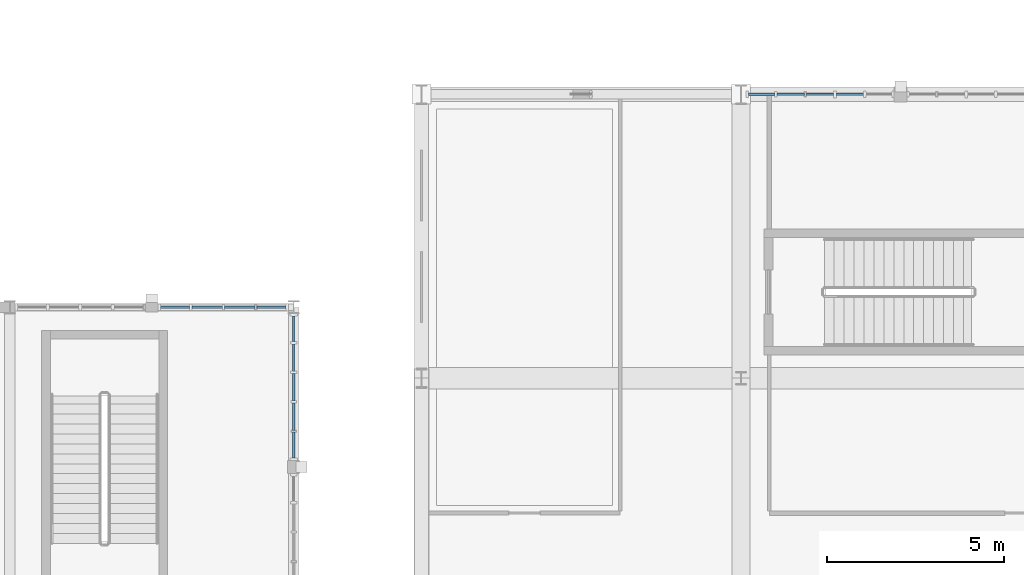
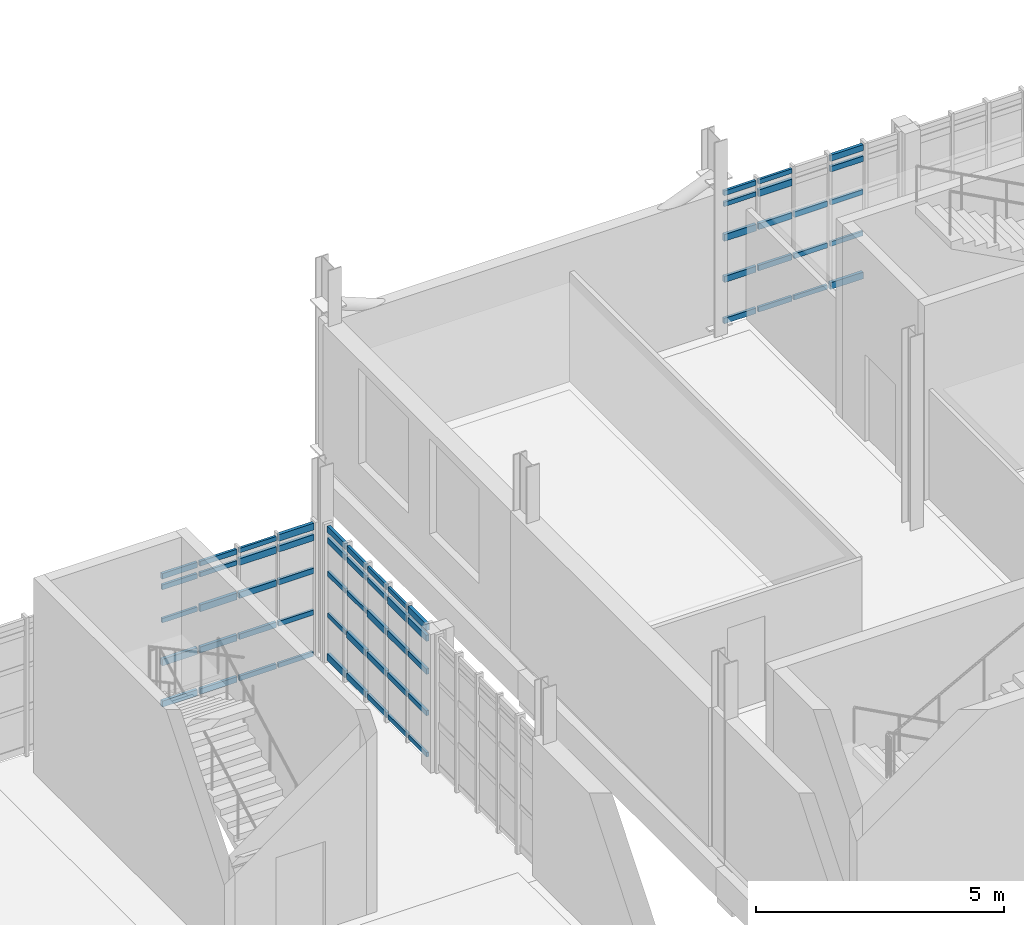
# One storey, part 64 of 128: 63 members, 3 elements without a shape of their own.
"""IFC4 building model written with IfcOpenShell, lengths in metres."""

from ifc_helpers import new_model, si_unit, direction, frame, origin, origin_2d, place, context, subcontext, project, spatial, rectangle, extrude, material, material_profile, profile_set, type_object, element, aggregate, save


model = new_model("IFC4")

# Units and contexts
model_context = context("Model", 3, precision=1e-05, world=origin(), true_north=direction((0.0, 1.0)))
body_context = subcontext(model_context, "Body", "Model", "MODEL_VIEW")
ifc_project = project(units=[si_unit("LENGTHUNIT", "METRE"), si_unit("AREAUNIT", "SQUARE_METRE"), si_unit("VOLUMEUNIT", "CUBIC_METRE"), si_unit("PLANEANGLEUNIT", "RADIAN"), si_unit("MASSUNIT", "GRAM", prefix="KILO")], contexts=[model_context])

# Site, building, storey
site_placement = place(None, origin())
site = spatial("IfcSite", under=ifc_project, at=site_placement, CompositionType="ELEMENT")
building_placement = place(site_placement, origin())
building = spatial("IfcBuilding", under=site, at=building_placement, Name="Serraforn Aerial Cableway Station", CompositionType="ELEMENT")
storey_placement = place(building_placement, frame((0.0, 0.0, 9.0)))
storey = spatial("IfcBuildingStorey", under=building, at=storey_placement, Name="L02", CompositionType="ELEMENT", Elevation=9.0)

# Curtain wall, members
ifc_material_1 = material(Name="Anodised bronze unitised curtain wall")
curtain_wall_type_1 = type_object("IfcCurtainWallType", Name="CW-SYS-1", PredefinedType="USERDEFINED", material=ifc_material_1)
curtain_wall_1_placement = place(storey_placement, origin())
curtain_wall_1 = element("IfcCurtainWall", 1, at=curtain_wall_1_placement, inside=storey, type_object=curtain_wall_type_1, Name="Unitised Curtain Wall CW-W-L02-N3A", ObjectType="UNITISED CURTAIN WALL", PredefinedType="USERDEFINED")
ifc_material_2 = material(Name="Anodised bronze extruded aluminium", Category="aluminium")
ifc_material_profile_1 = material_profile(ifc_material_2, rectangle(XDim=0.054931640625, YDim=0.110107421875, at=origin_2d()), Name="CW TRANSOM 55x110")
ifc_profile_set_1 = profile_set([ifc_material_profile_1], Name="Anodised bronze extruded aluminium")
member_type_1 = type_object("IfcMemberType", Name="CW-TRN-1", PredefinedType="USERDEFINED", material=ifc_profile_set_1)
member_1_placement = place(storey_placement, frame((23.779052734375, 36.0, 0.13671875), z_axis=(-1.0, 0.0, 0.0), x_axis=(0.0, -1.0, 0.0)))
member_1 = element("IfcMember", 2, at=member_1_placement, type_object=member_type_1, Name="Curtain Wall Transom CW-W-L02-N3A-T1-1", ObjectType="TRANSOM", PredefinedType="USERDEFINED", context=body_context, shape_type="SweptSolid", body=[
    extrude(rectangle(XDim=0.054931640625, YDim=0.110107421875, at=origin_2d()), origin(), (0.0, 0.0, 1.0), 0.819580078125),
])
member_2_placement = place(storey_placement, frame((22.908447265625, 36.0, 3.283203125), z_axis=(-1.0, 0.0, 0.0), x_axis=(0.0, -1.0, 0.0)))
member_2 = element("IfcMember", 3, at=member_2_placement, type_object=member_type_1, Name="Curtain Wall Transom CW-W-L02-N3A-T2-5", ObjectType="TRANSOM", PredefinedType="USERDEFINED", context=body_context, shape_type="SweptSolid", body=[
    extrude(rectangle(XDim=0.054931640625, YDim=0.110107421875, at=origin_2d()), origin(), (0.0, 0.0, 1.0), 0.864501953125),
])
member_3_placement = place(storey_placement, frame((21.988037109375, 36.0, 3.009521484375), z_axis=(-1.0, 0.0, 0.0), x_axis=(0.0, -1.0, 0.0)))
member_3 = element("IfcMember", 4, at=member_3_placement, type_object=member_type_1, Name="Curtain Wall Transom CW-W-L02-N3A-T3-4", ObjectType="TRANSOM", PredefinedType="USERDEFINED", context=body_context, shape_type="SweptSolid", body=[
    extrude(rectangle(XDim=0.054931640625, YDim=0.110107421875, at=origin_2d()), origin(), (0.0, 0.0, 1.0), 0.859619140625),
])
member_4_placement = place(storey_placement, frame((21.0673828125, 36.0, 2.188720703125), z_axis=(-1.0, 0.0, 0.0), x_axis=(0.0, -1.0, 0.0)))
member_4 = element("IfcMember", 5, at=member_4_placement, type_object=member_type_1, Name="Curtain Wall Transom CW-W-L02-N3A-T4-3", ObjectType="TRANSOM", PredefinedType="USERDEFINED", context=body_context, shape_type="SweptSolid", body=[
    extrude(rectangle(XDim=0.054931640625, YDim=0.110107421875, at=origin_2d()), origin(), (0.0, 0.0, 1.0), 0.8193359375),
])

curtain_wall_type_2 = type_object("IfcCurtainWallType", Name="CW-SYS-6", PredefinedType="USERDEFINED", material=ifc_material_1)
curtain_wall_2_placement = place(storey_placement, origin())
curtain_wall_2 = element("IfcCurtainWall", 6, at=curtain_wall_2_placement, inside=storey, type_object=curtain_wall_type_2, Name="Unitised Curtain Wall CW-W-L02-E3B", ObjectType="UNITISED CURTAIN WALL", PredefinedType="USERDEFINED")
member_5_placement = place(storey_placement, frame((24.0, 31.7529296875, 0.13671875), z_axis=(0.0, 1.0, 0.0), x_axis=(-1.0, 0.0, 0.0)))
member_5 = element("IfcMember", 7, at=member_5_placement, type_object=member_type_1, Name="Curtain Wall Transom CW-W-L02-E3B-T1-1", ObjectType="TRANSOM", PredefinedType="USERDEFINED", context=body_context, shape_type="SweptSolid", body=[
    extrude(rectangle(XDim=0.054931640625, YDim=0.110107421875, at=origin_2d()), origin(), (0.0, 0.0, 1.0), 0.72998046875),
])
member_6_placement = place(storey_placement, frame((24.0, 32.533935546875, 3.283203125), z_axis=(0.0, 1.0, 0.0), x_axis=(-1.0, 0.0, 0.0)))
member_6 = element("IfcMember", 8, at=member_6_placement, type_object=member_type_1, Name="Curtain Wall Transom CW-W-L02-E3B-T2-5", ObjectType="TRANSOM", PredefinedType="USERDEFINED", context=body_context, shape_type="SweptSolid", body=[
    extrude(rectangle(XDim=0.054931640625, YDim=0.110107421875, at=origin_2d()), origin(), (0.0, 0.0, 1.0), 0.77490234375),
])
member_7_placement = place(storey_placement, frame((24.0, 33.36474609375, 3.009521484375), z_axis=(0.0, 1.0, 0.0), x_axis=(-1.0, 0.0, 0.0)))
member_7 = element("IfcMember", 9, at=member_7_placement, type_object=member_type_1, Name="Curtain Wall Transom CW-W-L02-E3B-T3-4", ObjectType="TRANSOM", PredefinedType="USERDEFINED", context=body_context, shape_type="SweptSolid", body=[
    extrude(rectangle(XDim=0.054931640625, YDim=0.110107421875, at=origin_2d()), origin(), (0.0, 0.0, 1.0), 0.77001953125),
])
member_8_placement = place(storey_placement, frame((24.0, 34.19580078125, 2.188720703125), z_axis=(0.0, 1.0, 0.0), x_axis=(-1.0, 0.0, 0.0)))
member_8 = element("IfcMember", 10, at=member_8_placement, type_object=member_type_1, Name="Curtain Wall Transom CW-W-L02-E3B-T4-3", ObjectType="TRANSOM", PredefinedType="USERDEFINED", context=body_context, shape_type="SweptSolid", body=[
    extrude(rectangle(XDim=0.054931640625, YDim=0.110107421875, at=origin_2d()), origin(), (0.0, 0.0, 1.0), 0.764892578125),
])
member_9_placement = place(storey_placement, frame((24.0, 35.026611328125, 1.162841796875), z_axis=(0.0, 1.0, 0.0), x_axis=(-1.0, 0.0, 0.0)))
member_9 = element("IfcMember", 11, at=member_9_placement, type_object=member_type_1, Name="Curtain Wall Transom CW-W-L02-E3B-T5-2", ObjectType="TRANSOM", PredefinedType="USERDEFINED", context=body_context, shape_type="SweptSolid", body=[
    extrude(rectangle(XDim=0.054931640625, YDim=0.110107421875, at=origin_2d()), origin(), (0.0, 0.0, 1.0), 0.722412109375),
])

curtain_wall_type_3 = type_object("IfcCurtainWallType", Name="CW-SYS-18", PredefinedType="USERDEFINED", material=ifc_material_1)
curtain_wall_3_placement = place(storey_placement, origin())
curtain_wall_3 = element("IfcCurtainWall", 12, at=curtain_wall_3_placement, inside=storey, type_object=curtain_wall_type_3, Name="Unitised Curtain Wall CW-CV-L02-N2B", ObjectType="UNITISED CURTAIN WALL", PredefinedType="USERDEFINED")
member_10_placement = place(storey_placement, frame((40.052490234375, 42.0, 1.162841796875), z_axis=(-1.0, 0.0, 0.0), x_axis=(0.0, -1.0, 0.0)))
member_10 = element("IfcMember", 13, at=member_10_placement, type_object=member_type_1, Name="Curtain Wall Transom CW-CV-L02-N2B-T2-2", ObjectType="TRANSOM", PredefinedType="USERDEFINED", context=body_context, shape_type="SweptSolid", body=[
    extrude(rectangle(XDim=0.054931640625, YDim=0.110107421875, at=origin_2d()), origin(), (0.0, 0.0, 1.0), 0.765869140625),
])
member_11_placement = place(storey_placement, frame((39.2158203125, 42.0, 0.13671875), z_axis=(-1.0, 0.0, 0.0), x_axis=(0.0, -1.0, 0.0)))
member_11 = element("IfcMember", 14, at=member_11_placement, type_object=member_type_1, Name="Curtain Wall Transom CW-CV-L02-N2B-T3-1", ObjectType="TRANSOM", PredefinedType="USERDEFINED", context=body_context, shape_type="SweptSolid", body=[
    extrude(rectangle(XDim=0.054931640625, YDim=0.110107421875, at=origin_2d()), origin(), (0.0, 0.0, 1.0), 0.7734375),
])
member_12_placement = place(storey_placement, frame((38.391357421875, 42.0, 3.283203125), z_axis=(-1.0, 0.0, 0.0), x_axis=(0.0, -1.0, 0.0)))
member_12 = element("IfcMember", 15, at=member_12_placement, type_object=member_type_1, Name="Curtain Wall Transom CW-CV-L02-N2B-T4-5", ObjectType="TRANSOM", PredefinedType="USERDEFINED", context=body_context, shape_type="SweptSolid", body=[
    extrude(rectangle(XDim=0.054931640625, YDim=0.110107421875, at=origin_2d()), origin(), (0.0, 0.0, 1.0), 0.781005859375),
])
member_13_placement = place(storey_placement, frame((37.554443359375, 42.0, 3.009521484375), z_axis=(-1.0, 0.0, 0.0), x_axis=(0.0, -1.0, 0.0)))
member_13 = element("IfcMember", 16, at=member_13_placement, type_object=member_type_1, Name="Curtain Wall Transom CW-CV-L02-N2B-T5-4", ObjectType="TRANSOM", PredefinedType="USERDEFINED", context=body_context, shape_type="SweptSolid", body=[
    extrude(rectangle(XDim=0.054931640625, YDim=0.110107421875, at=origin_2d()), origin(), (0.0, 0.0, 1.0), 0.743408203125),
])

# Member
ifc_material_profile_2 = material_profile(ifc_material_2, rectangle(XDim=0.06005859375, YDim=0.1201171875, at=origin_2d()), Name="CW TRANSOM 60x120")
ifc_profile_set_2 = profile_set([ifc_material_profile_2], Name="Anodised bronze extruded aluminium")
member_type_2 = type_object("IfcMemberType", Name="CW-TRN-2", PredefinedType="USERDEFINED", material=ifc_profile_set_2)
member_14_placement = place(storey_placement, frame((23.779052734375, 36.0, 1.162841796875), z_axis=(-1.0, 0.0, 0.0), x_axis=(0.0, -1.0, 0.0)))
member_14 = element("IfcMember", 17, at=member_14_placement, type_object=member_type_2, Name="Curtain Wall Transom CW-W-L02-N3A-T1-2", ObjectType="TRANSOM", PredefinedType="USERDEFINED", context=body_context, shape_type="SweptSolid", body=[
    extrude(rectangle(XDim=0.06005859375, YDim=0.1201171875, at=origin_2d()), origin(), (0.0, 0.0, 1.0), 0.819580078125),
])

member_15_placement = place(storey_placement, frame((22.908447265625, 36.0, 0.13671875), z_axis=(-1.0, 0.0, 0.0), x_axis=(0.0, -1.0, 0.0)))
member_15 = element("IfcMember", 18, at=member_15_placement, type_object=member_type_2, Name="Curtain Wall Transom CW-W-L02-N3A-T2-1", ObjectType="TRANSOM", PredefinedType="USERDEFINED", context=body_context, shape_type="SweptSolid", body=[
    extrude(rectangle(XDim=0.06005859375, YDim=0.1201171875, at=origin_2d()), origin(), (0.0, 0.0, 1.0), 0.864501953125),
])

member_16_placement = place(storey_placement, frame((21.988037109375, 36.0, 3.283203125), z_axis=(-1.0, 0.0, 0.0), x_axis=(0.0, -1.0, 0.0)))
member_16 = element("IfcMember", 19, at=member_16_placement, type_object=member_type_2, Name="Curtain Wall Transom CW-W-L02-N3A-T3-5", ObjectType="TRANSOM", PredefinedType="USERDEFINED", context=body_context, shape_type="SweptSolid", body=[
    extrude(rectangle(XDim=0.06005859375, YDim=0.1201171875, at=origin_2d()), origin(), (0.0, 0.0, 1.0), 0.859619140625),
])

member_17_placement = place(storey_placement, frame((21.0673828125, 36.0, 3.009521484375), z_axis=(-1.0, 0.0, 0.0), x_axis=(0.0, -1.0, 0.0)))
member_17 = element("IfcMember", 20, at=member_17_placement, type_object=member_type_2, Name="Curtain Wall Transom CW-W-L02-N3A-T4-4", ObjectType="TRANSOM", PredefinedType="USERDEFINED", context=body_context, shape_type="SweptSolid", body=[
    extrude(rectangle(XDim=0.06005859375, YDim=0.1201171875, at=origin_2d()), origin(), (0.0, 0.0, 1.0), 0.8193359375),
])

member_18_placement = place(storey_placement, frame((24.0, 31.7529296875, 1.162841796875), z_axis=(0.0, 1.0, 0.0), x_axis=(-1.0, 0.0, 0.0)))
member_18 = element("IfcMember", 21, at=member_18_placement, type_object=member_type_2, Name="Curtain Wall Transom CW-W-L02-E3B-T1-2", ObjectType="TRANSOM", PredefinedType="USERDEFINED", context=body_context, shape_type="SweptSolid", body=[
    extrude(rectangle(XDim=0.06005859375, YDim=0.1201171875, at=origin_2d()), origin(), (0.0, 0.0, 1.0), 0.72998046875),
])

member_19_placement = place(storey_placement, frame((24.0, 32.533935546875, 0.13671875), z_axis=(0.0, 1.0, 0.0), x_axis=(-1.0, 0.0, 0.0)))
member_19 = element("IfcMember", 22, at=member_19_placement, type_object=member_type_2, Name="Curtain Wall Transom CW-W-L02-E3B-T2-1", ObjectType="TRANSOM", PredefinedType="USERDEFINED", context=body_context, shape_type="SweptSolid", body=[
    extrude(rectangle(XDim=0.06005859375, YDim=0.1201171875, at=origin_2d()), origin(), (0.0, 0.0, 1.0), 0.77490234375),
])

member_20_placement = place(storey_placement, frame((24.0, 33.36474609375, 3.283203125), z_axis=(0.0, 1.0, 0.0), x_axis=(-1.0, 0.0, 0.0)))
member_20 = element("IfcMember", 23, at=member_20_placement, type_object=member_type_2, Name="Curtain Wall Transom CW-W-L02-E3B-T3-5", ObjectType="TRANSOM", PredefinedType="USERDEFINED", context=body_context, shape_type="SweptSolid", body=[
    extrude(rectangle(XDim=0.06005859375, YDim=0.1201171875, at=origin_2d()), origin(), (0.0, 0.0, 1.0), 0.77001953125),
])

member_21_placement = place(storey_placement, frame((24.0, 34.19580078125, 3.009521484375), z_axis=(0.0, 1.0, 0.0), x_axis=(-1.0, 0.0, 0.0)))
member_21 = element("IfcMember", 24, at=member_21_placement, type_object=member_type_2, Name="Curtain Wall Transom CW-W-L02-E3B-T4-4", ObjectType="TRANSOM", PredefinedType="USERDEFINED", context=body_context, shape_type="SweptSolid", body=[
    extrude(rectangle(XDim=0.06005859375, YDim=0.1201171875, at=origin_2d()), origin(), (0.0, 0.0, 1.0), 0.764892578125),
])

member_22_placement = place(storey_placement, frame((24.0, 35.026611328125, 2.188720703125), z_axis=(0.0, 1.0, 0.0), x_axis=(-1.0, 0.0, 0.0)))
member_22 = element("IfcMember", 25, at=member_22_placement, type_object=member_type_2, Name="Curtain Wall Transom CW-W-L02-E3B-T5-3", ObjectType="TRANSOM", PredefinedType="USERDEFINED", context=body_context, shape_type="SweptSolid", body=[
    extrude(rectangle(XDim=0.06005859375, YDim=0.1201171875, at=origin_2d()), origin(), (0.0, 0.0, 1.0), 0.722412109375),
])

member_23_placement = place(storey_placement, frame((40.052490234375, 42.0, 2.188720703125), z_axis=(-1.0, 0.0, 0.0), x_axis=(0.0, -1.0, 0.0)))
member_23 = element("IfcMember", 26, at=member_23_placement, type_object=member_type_2, Name="Curtain Wall Transom CW-CV-L02-N2B-T2-3", ObjectType="TRANSOM", PredefinedType="USERDEFINED", context=body_context, shape_type="SweptSolid", body=[
    extrude(rectangle(XDim=0.06005859375, YDim=0.1201171875, at=origin_2d()), origin(), (0.0, 0.0, 1.0), 0.765869140625),
])

member_24_placement = place(storey_placement, frame((39.2158203125, 42.0, 1.162841796875), z_axis=(-1.0, 0.0, 0.0), x_axis=(0.0, -1.0, 0.0)))
member_24 = element("IfcMember", 27, at=member_24_placement, type_object=member_type_2, Name="Curtain Wall Transom CW-CV-L02-N2B-T3-2", ObjectType="TRANSOM", PredefinedType="USERDEFINED", context=body_context, shape_type="SweptSolid", body=[
    extrude(rectangle(XDim=0.06005859375, YDim=0.1201171875, at=origin_2d()), origin(), (0.0, 0.0, 1.0), 0.7734375),
])

member_25_placement = place(storey_placement, frame((38.391357421875, 42.0, 0.13671875), z_axis=(-1.0, 0.0, 0.0), x_axis=(0.0, -1.0, 0.0)))
member_25 = element("IfcMember", 28, at=member_25_placement, type_object=member_type_2, Name="Curtain Wall Transom CW-CV-L02-N2B-T4-1", ObjectType="TRANSOM", PredefinedType="USERDEFINED", context=body_context, shape_type="SweptSolid", body=[
    extrude(rectangle(XDim=0.06005859375, YDim=0.1201171875, at=origin_2d()), origin(), (0.0, 0.0, 1.0), 0.781005859375),
])

member_26_placement = place(storey_placement, frame((37.554443359375, 42.0, 3.283203125), z_axis=(-1.0, 0.0, 0.0), x_axis=(0.0, -1.0, 0.0)))
member_26 = element("IfcMember", 29, at=member_26_placement, type_object=member_type_2, Name="Curtain Wall Transom CW-CV-L02-N2B-T5-5", ObjectType="TRANSOM", PredefinedType="USERDEFINED", context=body_context, shape_type="SweptSolid", body=[
    extrude(rectangle(XDim=0.06005859375, YDim=0.1201171875, at=origin_2d()), origin(), (0.0, 0.0, 1.0), 0.743408203125),
])

ifc_material_profile_3 = material_profile(ifc_material_2, rectangle(XDim=0.06494140625, YDim=0.135009765625, at=origin_2d()), Name="CW TRANSOM 65x135")
ifc_profile_set_3 = profile_set([ifc_material_profile_3], Name="Anodised bronze extruded aluminium")
member_type_3 = type_object("IfcMemberType", Name="CW-TRN-3", PredefinedType="USERDEFINED", material=ifc_profile_set_3)
member_27_placement = place(storey_placement, frame((23.779052734375, 36.0, 2.188720703125), z_axis=(-1.0, 0.0, 0.0), x_axis=(0.0, -1.0, 0.0)))
member_27 = element("IfcMember", 30, at=member_27_placement, type_object=member_type_3, Name="Curtain Wall Transom CW-W-L02-N3A-T1-3", ObjectType="TRANSOM", PredefinedType="USERDEFINED", context=body_context, shape_type="SweptSolid", body=[
    extrude(rectangle(XDim=0.06494140625, YDim=0.135009765625, at=origin_2d()), origin(), (0.0, 0.0, 1.0), 0.819580078125),
])

member_28_placement = place(storey_placement, frame((22.908447265625, 36.0, 1.162841796875), z_axis=(-1.0, 0.0, 0.0), x_axis=(0.0, -1.0, 0.0)))
member_28 = element("IfcMember", 31, at=member_28_placement, type_object=member_type_3, Name="Curtain Wall Transom CW-W-L02-N3A-T2-2", ObjectType="TRANSOM", PredefinedType="USERDEFINED", context=body_context, shape_type="SweptSolid", body=[
    extrude(rectangle(XDim=0.06494140625, YDim=0.135009765625, at=origin_2d()), origin(), (0.0, 0.0, 1.0), 0.864501953125),
])

member_29_placement = place(storey_placement, frame((21.988037109375, 36.0, 0.13671875), z_axis=(-1.0, 0.0, 0.0), x_axis=(0.0, -1.0, 0.0)))
member_29 = element("IfcMember", 32, at=member_29_placement, type_object=member_type_3, Name="Curtain Wall Transom CW-W-L02-N3A-T3-1", ObjectType="TRANSOM", PredefinedType="USERDEFINED", context=body_context, shape_type="SweptSolid", body=[
    extrude(rectangle(XDim=0.06494140625, YDim=0.135009765625, at=origin_2d()), origin(), (0.0, 0.0, 1.0), 0.859619140625),
])

member_30_placement = place(storey_placement, frame((21.0673828125, 36.0, 3.283203125), z_axis=(-1.0, 0.0, 0.0), x_axis=(0.0, -1.0, 0.0)))
member_30 = element("IfcMember", 33, at=member_30_placement, type_object=member_type_3, Name="Curtain Wall Transom CW-W-L02-N3A-T4-5", ObjectType="TRANSOM", PredefinedType="USERDEFINED", context=body_context, shape_type="SweptSolid", body=[
    extrude(rectangle(XDim=0.06494140625, YDim=0.135009765625, at=origin_2d()), origin(), (0.0, 0.0, 1.0), 0.8193359375),
])

member_31_placement = place(storey_placement, frame((24.0, 31.7529296875, 2.188720703125), z_axis=(0.0, 1.0, 0.0), x_axis=(-1.0, 0.0, 0.0)))
member_31 = element("IfcMember", 34, at=member_31_placement, type_object=member_type_3, Name="Curtain Wall Transom CW-W-L02-E3B-T1-3", ObjectType="TRANSOM", PredefinedType="USERDEFINED", context=body_context, shape_type="SweptSolid", body=[
    extrude(rectangle(XDim=0.06494140625, YDim=0.135009765625, at=origin_2d()), origin(), (0.0, 0.0, 1.0), 0.72998046875),
])

member_32_placement = place(storey_placement, frame((24.0, 32.533935546875, 1.162841796875), z_axis=(0.0, 1.0, 0.0), x_axis=(-1.0, 0.0, 0.0)))
member_32 = element("IfcMember", 35, at=member_32_placement, type_object=member_type_3, Name="Curtain Wall Transom CW-W-L02-E3B-T2-2", ObjectType="TRANSOM", PredefinedType="USERDEFINED", context=body_context, shape_type="SweptSolid", body=[
    extrude(rectangle(XDim=0.06494140625, YDim=0.135009765625, at=origin_2d()), origin(), (0.0, 0.0, 1.0), 0.77490234375),
])

member_33_placement = place(storey_placement, frame((24.0, 33.36474609375, 0.13671875), z_axis=(0.0, 1.0, 0.0), x_axis=(-1.0, 0.0, 0.0)))
member_33 = element("IfcMember", 36, at=member_33_placement, type_object=member_type_3, Name="Curtain Wall Transom CW-W-L02-E3B-T3-1", ObjectType="TRANSOM", PredefinedType="USERDEFINED", context=body_context, shape_type="SweptSolid", body=[
    extrude(rectangle(XDim=0.06494140625, YDim=0.135009765625, at=origin_2d()), origin(), (0.0, 0.0, 1.0), 0.77001953125),
])

member_34_placement = place(storey_placement, frame((24.0, 34.19580078125, 3.283203125), z_axis=(0.0, 1.0, 0.0), x_axis=(-1.0, 0.0, 0.0)))
member_34 = element("IfcMember", 37, at=member_34_placement, type_object=member_type_3, Name="Curtain Wall Transom CW-W-L02-E3B-T4-5", ObjectType="TRANSOM", PredefinedType="USERDEFINED", context=body_context, shape_type="SweptSolid", body=[
    extrude(rectangle(XDim=0.06494140625, YDim=0.135009765625, at=origin_2d()), origin(), (0.0, 0.0, 1.0), 0.764892578125),
])

member_35_placement = place(storey_placement, frame((24.0, 35.026611328125, 3.009521484375), z_axis=(0.0, 1.0, 0.0), x_axis=(-1.0, 0.0, 0.0)))
member_35 = element("IfcMember", 38, at=member_35_placement, type_object=member_type_3, Name="Curtain Wall Transom CW-W-L02-E3B-T5-4", ObjectType="TRANSOM", PredefinedType="USERDEFINED", context=body_context, shape_type="SweptSolid", body=[
    extrude(rectangle(XDim=0.06494140625, YDim=0.135009765625, at=origin_2d()), origin(), (0.0, 0.0, 1.0), 0.722412109375),
])

member_36_placement = place(storey_placement, frame((40.052490234375, 42.0, 3.009521484375), z_axis=(-1.0, 0.0, 0.0), x_axis=(0.0, -1.0, 0.0)))
member_36 = element("IfcMember", 39, at=member_36_placement, type_object=member_type_3, Name="Curtain Wall Transom CW-CV-L02-N2B-T2-4", ObjectType="TRANSOM", PredefinedType="USERDEFINED", context=body_context, shape_type="SweptSolid", body=[
    extrude(rectangle(XDim=0.06494140625, YDim=0.135009765625, at=origin_2d()), origin(), (0.0, 0.0, 1.0), 0.765869140625),
])

member_37_placement = place(storey_placement, frame((39.2158203125, 42.0, 2.188720703125), z_axis=(-1.0, 0.0, 0.0), x_axis=(0.0, -1.0, 0.0)))
member_37 = element("IfcMember", 40, at=member_37_placement, type_object=member_type_3, Name="Curtain Wall Transom CW-CV-L02-N2B-T3-3", ObjectType="TRANSOM", PredefinedType="USERDEFINED", context=body_context, shape_type="SweptSolid", body=[
    extrude(rectangle(XDim=0.06494140625, YDim=0.135009765625, at=origin_2d()), origin(), (0.0, 0.0, 1.0), 0.7734375),
])

member_38_placement = place(storey_placement, frame((38.391357421875, 42.0, 1.162841796875), z_axis=(-1.0, 0.0, 0.0), x_axis=(0.0, -1.0, 0.0)))
member_38 = element("IfcMember", 41, at=member_38_placement, type_object=member_type_3, Name="Curtain Wall Transom CW-CV-L02-N2B-T4-2", ObjectType="TRANSOM", PredefinedType="USERDEFINED", context=body_context, shape_type="SweptSolid", body=[
    extrude(rectangle(XDim=0.06494140625, YDim=0.135009765625, at=origin_2d()), origin(), (0.0, 0.0, 1.0), 0.781005859375),
])

member_39_placement = place(storey_placement, frame((37.554443359375, 42.0, 0.13671875), z_axis=(-1.0, 0.0, 0.0), x_axis=(0.0, -1.0, 0.0)))
member_39 = element("IfcMember", 42, at=member_39_placement, type_object=member_type_3, Name="Curtain Wall Transom CW-CV-L02-N2B-T5-1", ObjectType="TRANSOM", PredefinedType="USERDEFINED", context=body_context, shape_type="SweptSolid", body=[
    extrude(rectangle(XDim=0.06494140625, YDim=0.135009765625, at=origin_2d()), origin(), (0.0, 0.0, 1.0), 0.743408203125),
])

ifc_material_profile_4 = material_profile(ifc_material_2, rectangle(XDim=0.070068359375, YDim=0.14990234375, at=origin_2d()), Name="CW TRANSOM 70x150")
ifc_profile_set_4 = profile_set([ifc_material_profile_4], Name="Anodised bronze extruded aluminium")
member_type_4 = type_object("IfcMemberType", Name="CW-TRN-4", PredefinedType="USERDEFINED", material=ifc_profile_set_4)
member_40_placement = place(storey_placement, frame((23.779052734375, 36.0, 3.009521484375), z_axis=(-1.0, 0.0, 0.0), x_axis=(0.0, -1.0, 0.0)))
member_40 = element("IfcMember", 43, at=member_40_placement, type_object=member_type_4, Name="Curtain Wall Transom CW-W-L02-N3A-T1-4", ObjectType="TRANSOM", PredefinedType="USERDEFINED", context=body_context, shape_type="SweptSolid", body=[
    extrude(rectangle(XDim=0.070068359375, YDim=0.14990234375, at=origin_2d()), origin(), (0.0, 0.0, 1.0), 0.819580078125),
])

member_41_placement = place(storey_placement, frame((22.908447265625, 36.0, 2.188720703125), z_axis=(-1.0, 0.0, 0.0), x_axis=(0.0, -1.0, 0.0)))
member_41 = element("IfcMember", 44, at=member_41_placement, type_object=member_type_4, Name="Curtain Wall Transom CW-W-L02-N3A-T2-3", ObjectType="TRANSOM", PredefinedType="USERDEFINED", context=body_context, shape_type="SweptSolid", body=[
    extrude(rectangle(XDim=0.070068359375, YDim=0.14990234375, at=origin_2d()), origin(), (0.0, 0.0, 1.0), 0.864501953125),
])

member_42_placement = place(storey_placement, frame((21.988037109375, 36.0, 1.162841796875), z_axis=(-1.0, 0.0, 0.0), x_axis=(0.0, -1.0, 0.0)))
member_42 = element("IfcMember", 45, at=member_42_placement, type_object=member_type_4, Name="Curtain Wall Transom CW-W-L02-N3A-T3-2", ObjectType="TRANSOM", PredefinedType="USERDEFINED", context=body_context, shape_type="SweptSolid", body=[
    extrude(rectangle(XDim=0.070068359375, YDim=0.14990234375, at=origin_2d()), origin(), (0.0, 0.0, 1.0), 0.859619140625),
])

member_43_placement = place(storey_placement, frame((21.0673828125, 36.0, 0.13671875), z_axis=(-1.0, 0.0, 0.0), x_axis=(0.0, -1.0, 0.0)))
member_43 = element("IfcMember", 46, at=member_43_placement, type_object=member_type_4, Name="Curtain Wall Transom CW-W-L02-N3A-T4-1", ObjectType="TRANSOM", PredefinedType="USERDEFINED", context=body_context, shape_type="SweptSolid", body=[
    extrude(rectangle(XDim=0.070068359375, YDim=0.14990234375, at=origin_2d()), origin(), (0.0, 0.0, 1.0), 0.8193359375),
])

member_44_placement = place(storey_placement, frame((24.0, 31.7529296875, 3.009521484375), z_axis=(0.0, 1.0, 0.0), x_axis=(-1.0, 0.0, 0.0)))
member_44 = element("IfcMember", 47, at=member_44_placement, type_object=member_type_4, Name="Curtain Wall Transom CW-W-L02-E3B-T1-4", ObjectType="TRANSOM", PredefinedType="USERDEFINED", context=body_context, shape_type="SweptSolid", body=[
    extrude(rectangle(XDim=0.070068359375, YDim=0.14990234375, at=origin_2d()), origin(), (0.0, 0.0, 1.0), 0.72998046875),
])

member_45_placement = place(storey_placement, frame((24.0, 32.533935546875, 2.188720703125), z_axis=(0.0, 1.0, 0.0), x_axis=(-1.0, 0.0, 0.0)))
member_45 = element("IfcMember", 48, at=member_45_placement, type_object=member_type_4, Name="Curtain Wall Transom CW-W-L02-E3B-T2-3", ObjectType="TRANSOM", PredefinedType="USERDEFINED", context=body_context, shape_type="SweptSolid", body=[
    extrude(rectangle(XDim=0.070068359375, YDim=0.14990234375, at=origin_2d()), origin(), (0.0, 0.0, 1.0), 0.77490234375),
])

member_46_placement = place(storey_placement, frame((24.0, 33.36474609375, 1.162841796875), z_axis=(0.0, 1.0, 0.0), x_axis=(-1.0, 0.0, 0.0)))
member_46 = element("IfcMember", 49, at=member_46_placement, type_object=member_type_4, Name="Curtain Wall Transom CW-W-L02-E3B-T3-2", ObjectType="TRANSOM", PredefinedType="USERDEFINED", context=body_context, shape_type="SweptSolid", body=[
    extrude(rectangle(XDim=0.070068359375, YDim=0.14990234375, at=origin_2d()), origin(), (0.0, 0.0, 1.0), 0.77001953125),
])

member_47_placement = place(storey_placement, frame((24.0, 34.19580078125, 0.13671875), z_axis=(0.0, 1.0, 0.0), x_axis=(-1.0, 0.0, 0.0)))
member_47 = element("IfcMember", 50, at=member_47_placement, type_object=member_type_4, Name="Curtain Wall Transom CW-W-L02-E3B-T4-1", ObjectType="TRANSOM", PredefinedType="USERDEFINED", context=body_context, shape_type="SweptSolid", body=[
    extrude(rectangle(XDim=0.070068359375, YDim=0.14990234375, at=origin_2d()), origin(), (0.0, 0.0, 1.0), 0.764892578125),
])

member_48_placement = place(storey_placement, frame((24.0, 35.026611328125, 3.283203125), z_axis=(0.0, 1.0, 0.0), x_axis=(-1.0, 0.0, 0.0)))
member_48 = element("IfcMember", 51, at=member_48_placement, type_object=member_type_4, Name="Curtain Wall Transom CW-W-L02-E3B-T5-5", ObjectType="TRANSOM", PredefinedType="USERDEFINED", context=body_context, shape_type="SweptSolid", body=[
    extrude(rectangle(XDim=0.070068359375, YDim=0.14990234375, at=origin_2d()), origin(), (0.0, 0.0, 1.0), 0.722412109375),
])

member_49_placement = place(storey_placement, frame((40.052490234375, 42.0, 3.283203125), z_axis=(-1.0, 0.0, 0.0), x_axis=(0.0, -1.0, 0.0)))
member_49 = element("IfcMember", 52, at=member_49_placement, type_object=member_type_4, Name="Curtain Wall Transom CW-CV-L02-N2B-T2-5", ObjectType="TRANSOM", PredefinedType="USERDEFINED", context=body_context, shape_type="SweptSolid", body=[
    extrude(rectangle(XDim=0.070068359375, YDim=0.14990234375, at=origin_2d()), origin(), (0.0, 0.0, 1.0), 0.765869140625),
])

member_50_placement = place(storey_placement, frame((38.391357421875, 42.0, 2.188720703125), z_axis=(-1.0, 0.0, 0.0), x_axis=(0.0, -1.0, 0.0)))
member_50 = element("IfcMember", 53, at=member_50_placement, type_object=member_type_4, Name="Curtain Wall Transom CW-CV-L02-N2B-T4-3", ObjectType="TRANSOM", PredefinedType="USERDEFINED", context=body_context, shape_type="SweptSolid", body=[
    extrude(rectangle(XDim=0.070068359375, YDim=0.14990234375, at=origin_2d()), origin(), (0.0, 0.0, 1.0), 0.781005859375),
])

member_51_placement = place(storey_placement, frame((37.554443359375, 42.0, 1.162841796875), z_axis=(-1.0, 0.0, 0.0), x_axis=(0.0, -1.0, 0.0)))
member_51 = element("IfcMember", 54, at=member_51_placement, type_object=member_type_4, Name="Curtain Wall Transom CW-CV-L02-N2B-T5-2", ObjectType="TRANSOM", PredefinedType="USERDEFINED", context=body_context, shape_type="SweptSolid", body=[
    extrude(rectangle(XDim=0.070068359375, YDim=0.14990234375, at=origin_2d()), origin(), (0.0, 0.0, 1.0), 0.743408203125),
])

ifc_material_profile_5 = material_profile(ifc_material_2, rectangle(XDim=0.074951171875, YDim=0.1650390625, at=origin_2d()), Name="CW TRANSOM 75x165")
ifc_profile_set_5 = profile_set([ifc_material_profile_5], Name="Anodised bronze extruded aluminium")
member_type_5 = type_object("IfcMemberType", Name="CW-TRN-5", PredefinedType="USERDEFINED", material=ifc_profile_set_5)
member_52_placement = place(storey_placement, frame((23.779052734375, 36.0, 3.283203125), z_axis=(-1.0, 0.0, 0.0), x_axis=(0.0, -1.0, 0.0)))
member_52 = element("IfcMember", 55, at=member_52_placement, type_object=member_type_5, Name="Curtain Wall Transom CW-W-L02-N3A-T1-5", ObjectType="TRANSOM", PredefinedType="USERDEFINED", context=body_context, shape_type="SweptSolid", body=[
    extrude(rectangle(XDim=0.074951171875, YDim=0.1650390625, at=origin_2d()), origin(), (0.0, 0.0, 1.0), 0.819580078125),
])

member_53_placement = place(storey_placement, frame((22.908447265625, 36.0, 3.009521484375), z_axis=(-1.0, 0.0, 0.0), x_axis=(0.0, -1.0, 0.0)))
member_53 = element("IfcMember", 56, at=member_53_placement, type_object=member_type_5, Name="Curtain Wall Transom CW-W-L02-N3A-T2-4", ObjectType="TRANSOM", PredefinedType="USERDEFINED", context=body_context, shape_type="SweptSolid", body=[
    extrude(rectangle(XDim=0.074951171875, YDim=0.1650390625, at=origin_2d()), origin(), (0.0, 0.0, 1.0), 0.864501953125),
])

member_54_placement = place(storey_placement, frame((21.988037109375, 36.0, 2.188720703125), z_axis=(-1.0, 0.0, 0.0), x_axis=(0.0, -1.0, 0.0)))
member_54 = element("IfcMember", 57, at=member_54_placement, type_object=member_type_5, Name="Curtain Wall Transom CW-W-L02-N3A-T3-3", ObjectType="TRANSOM", PredefinedType="USERDEFINED", context=body_context, shape_type="SweptSolid", body=[
    extrude(rectangle(XDim=0.074951171875, YDim=0.1650390625, at=origin_2d()), origin(), (0.0, 0.0, 1.0), 0.859619140625),
])

member_55_placement = place(storey_placement, frame((21.0673828125, 36.0, 1.162841796875), z_axis=(-1.0, 0.0, 0.0), x_axis=(0.0, -1.0, 0.0)))
member_55 = element("IfcMember", 58, at=member_55_placement, type_object=member_type_5, Name="Curtain Wall Transom CW-W-L02-N3A-T4-2", ObjectType="TRANSOM", PredefinedType="USERDEFINED", context=body_context, shape_type="SweptSolid", body=[
    extrude(rectangle(XDim=0.074951171875, YDim=0.1650390625, at=origin_2d()), origin(), (0.0, 0.0, 1.0), 0.8193359375),
])

aggregate(curtain_wall_1, [member_1, member_14, member_27, member_40, member_52, member_15, member_28, member_41, member_53, member_2, member_29, member_42, member_54, member_3, member_16, member_43, member_55, member_4, member_17, member_30])

member_56_placement = place(storey_placement, frame((24.0, 31.7529296875, 3.283203125), z_axis=(0.0, 1.0, 0.0), x_axis=(-1.0, 0.0, 0.0)))
member_56 = element("IfcMember", 59, at=member_56_placement, type_object=member_type_5, Name="Curtain Wall Transom CW-W-L02-E3B-T1-5", ObjectType="TRANSOM", PredefinedType="USERDEFINED", context=body_context, shape_type="SweptSolid", body=[
    extrude(rectangle(XDim=0.074951171875, YDim=0.1650390625, at=origin_2d()), origin(), (0.0, 0.0, 1.0), 0.72998046875),
])

member_57_placement = place(storey_placement, frame((24.0, 32.533935546875, 3.009521484375), z_axis=(0.0, 1.0, 0.0), x_axis=(-1.0, 0.0, 0.0)))
member_57 = element("IfcMember", 60, at=member_57_placement, type_object=member_type_5, Name="Curtain Wall Transom CW-W-L02-E3B-T2-4", ObjectType="TRANSOM", PredefinedType="USERDEFINED", context=body_context, shape_type="SweptSolid", body=[
    extrude(rectangle(XDim=0.074951171875, YDim=0.1650390625, at=origin_2d()), origin(), (0.0, 0.0, 1.0), 0.77490234375),
])

member_58_placement = place(storey_placement, frame((24.0, 33.36474609375, 2.188720703125), z_axis=(0.0, 1.0, 0.0), x_axis=(-1.0, 0.0, 0.0)))
member_58 = element("IfcMember", 61, at=member_58_placement, type_object=member_type_5, Name="Curtain Wall Transom CW-W-L02-E3B-T3-3", ObjectType="TRANSOM", PredefinedType="USERDEFINED", context=body_context, shape_type="SweptSolid", body=[
    extrude(rectangle(XDim=0.074951171875, YDim=0.1650390625, at=origin_2d()), origin(), (0.0, 0.0, 1.0), 0.77001953125),
])

member_59_placement = place(storey_placement, frame((24.0, 34.19580078125, 1.162841796875), z_axis=(0.0, 1.0, 0.0), x_axis=(-1.0, 0.0, 0.0)))
member_59 = element("IfcMember", 62, at=member_59_placement, type_object=member_type_5, Name="Curtain Wall Transom CW-W-L02-E3B-T4-2", ObjectType="TRANSOM", PredefinedType="USERDEFINED", context=body_context, shape_type="SweptSolid", body=[
    extrude(rectangle(XDim=0.074951171875, YDim=0.1650390625, at=origin_2d()), origin(), (0.0, 0.0, 1.0), 0.764892578125),
])

member_60_placement = place(storey_placement, frame((24.0, 35.026611328125, 0.13671875), z_axis=(0.0, 1.0, 0.0), x_axis=(-1.0, 0.0, 0.0)))
member_60 = element("IfcMember", 63, at=member_60_placement, type_object=member_type_5, Name="Curtain Wall Transom CW-W-L02-E3B-T5-1", ObjectType="TRANSOM", PredefinedType="USERDEFINED", context=body_context, shape_type="SweptSolid", body=[
    extrude(rectangle(XDim=0.074951171875, YDim=0.1650390625, at=origin_2d()), origin(), (0.0, 0.0, 1.0), 0.722412109375),
])

aggregate(curtain_wall_2, [member_5, member_18, member_31, member_44, member_56, member_19, member_32, member_45, member_57, member_6, member_33, member_46, member_58, member_7, member_20, member_47, member_59, member_8, member_21, member_34, member_60, member_9, member_22, member_35, member_48])

member_61_placement = place(storey_placement, frame((40.052490234375, 42.0, 0.13671875), z_axis=(-1.0, 0.0, 0.0), x_axis=(0.0, -1.0, 0.0)))
member_61 = element("IfcMember", 64, at=member_61_placement, type_object=member_type_5, Name="Curtain Wall Transom CW-CV-L02-N2B-T2-1", ObjectType="TRANSOM", PredefinedType="USERDEFINED", context=body_context, shape_type="SweptSolid", body=[
    extrude(rectangle(XDim=0.074951171875, YDim=0.1650390625, at=origin_2d()), origin(), (0.0, 0.0, 1.0), 0.765869140625),
])

member_62_placement = place(storey_placement, frame((38.391357421875, 42.0, 3.009521484375), z_axis=(-1.0, 0.0, 0.0), x_axis=(0.0, -1.0, 0.0)))
member_62 = element("IfcMember", 65, at=member_62_placement, type_object=member_type_5, Name="Curtain Wall Transom CW-CV-L02-N2B-T4-4", ObjectType="TRANSOM", PredefinedType="USERDEFINED", context=body_context, shape_type="SweptSolid", body=[
    extrude(rectangle(XDim=0.074951171875, YDim=0.1650390625, at=origin_2d()), origin(), (0.0, 0.0, 1.0), 0.781005859375),
])

member_63_placement = place(storey_placement, frame((37.554443359375, 42.0, 2.188720703125), z_axis=(-1.0, 0.0, 0.0), x_axis=(0.0, -1.0, 0.0)))
member_63 = element("IfcMember", 66, at=member_63_placement, type_object=member_type_5, Name="Curtain Wall Transom CW-CV-L02-N2B-T5-3", ObjectType="TRANSOM", PredefinedType="USERDEFINED", context=body_context, shape_type="SweptSolid", body=[
    extrude(rectangle(XDim=0.074951171875, YDim=0.1650390625, at=origin_2d()), origin(), (0.0, 0.0, 1.0), 0.743408203125),
])

aggregate(curtain_wall_3, [member_61, member_10, member_23, member_36, member_49, member_11, member_24, member_37, member_25, member_38, member_50, member_62, member_12, member_39, member_51, member_63, member_13, member_26])

save(model, "model.ifc")
